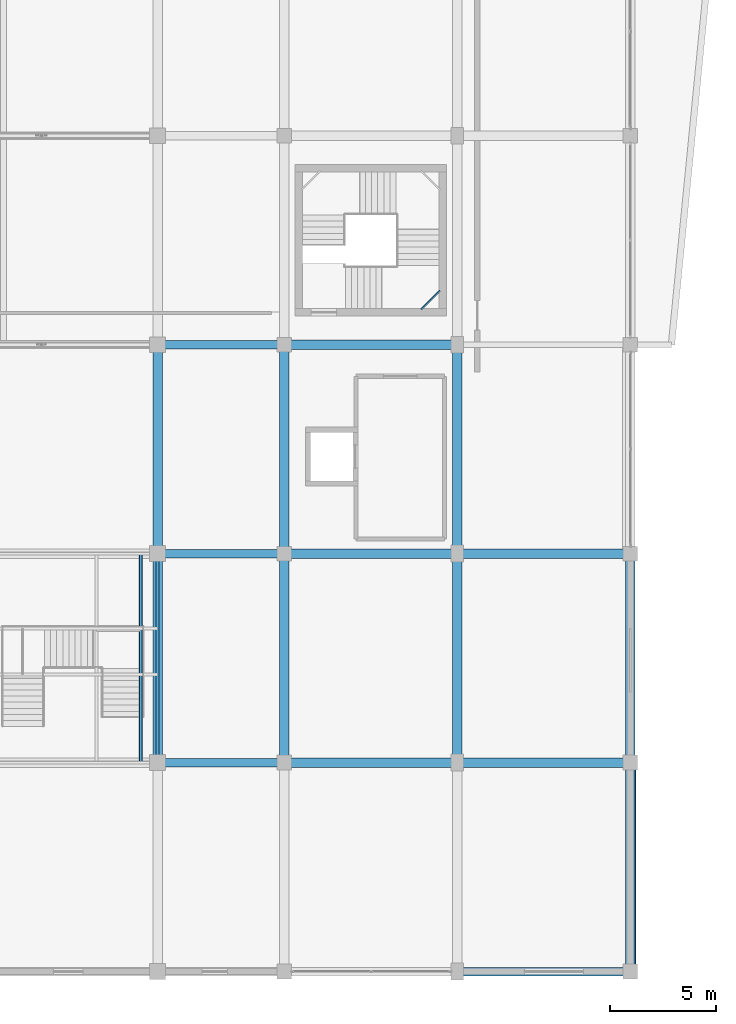
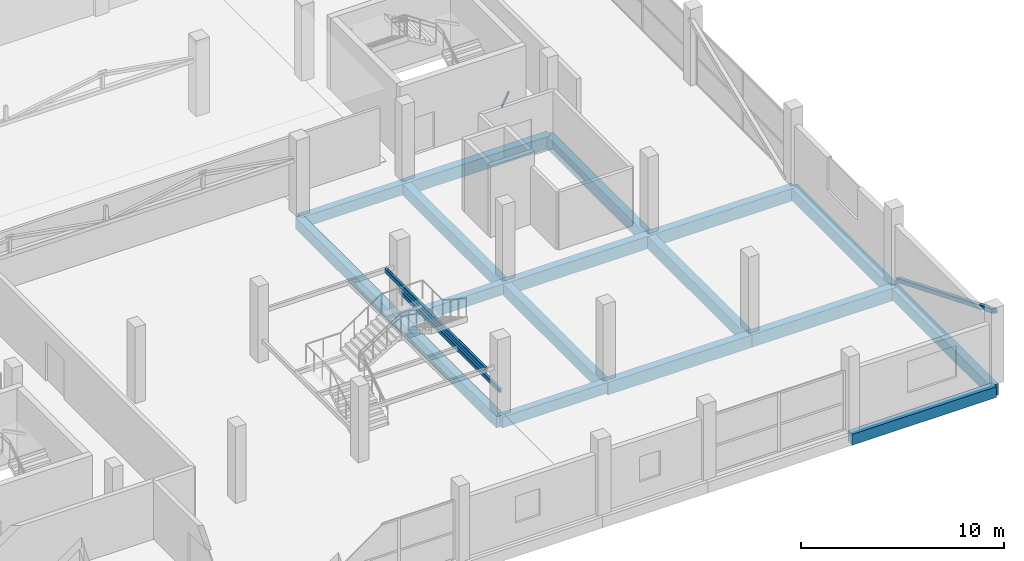
# One storey, part 12 of 58: 20 beams, 1 member.
"""IFC4 building model written with IfcOpenShell, lengths in metres."""

from ifc_helpers import new_model, si_unit, direction, frame, origin, origin_2d, place, context, subcontext, project, spatial, rectangle, hollow_rectangle, extrude, material, material_profile, profile_set, type_object, element, save


model = new_model("IFC4")

# Units and contexts
model_context = context("Model", 3, precision=1e-05, world=origin(), true_north=direction((0.0, 1.0)))
body_context = subcontext(model_context, "Body", "Model", "MODEL_VIEW")
ifc_project = project(units=[si_unit("LENGTHUNIT", "METRE"), si_unit("AREAUNIT", "SQUARE_METRE"), si_unit("VOLUMEUNIT", "CUBIC_METRE"), si_unit("PLANEANGLEUNIT", "RADIAN"), si_unit("MASSUNIT", "GRAM", prefix="KILO")], contexts=[model_context])

# Site, building, storey
site_placement = place(None, origin())
site = spatial("IfcSite", under=ifc_project, at=site_placement, CompositionType="ELEMENT")
building_placement = place(site_placement, origin())
building = spatial("IfcBuilding", under=site, at=building_placement, Name="Sillaruma Civic Art Gallery", CompositionType="ELEMENT")
storey_placement = place(building_placement, frame((0.0, 0.0, 28.56005859375)))
storey = spatial("IfcBuildingStorey", under=building, at=storey_placement, Name="L05", CompositionType="ELEMENT", Elevation=28.56005859375)

# Beams
ifc_material_1 = material(Name="Concrete H35 (35 MPa)", Category="concrete")
ifc_material_profile_1 = material_profile(ifc_material_1, rectangle(XDim=0.39990234375, YDim=0.64990234375, at=origin_2d()), Name="RCB400x650")
ifc_profile_set_1 = profile_set([ifc_material_profile_1], Name="Concrete H35 (35 MPa)")
beam_type_1 = type_object("IfcBeamType", Name="BM-BEAM-RCB400x650", PredefinedType="BEAM", material=ifc_profile_set_1)
for number, where, z_axis, x_axis, name in (
    (1, (92.0, 29.699951171875, -0.60498046875), (1.0, 0.0, 0.0), (0.0, 1.0, 0.0), "Beam BM-05 (L04:4:K-L)"),
    (2, (92.0, 39.60009765625, -0.60498046875), (1.0, 0.0, 0.0), (0.0, 1.0, 0.0), "Beam BM-05 (L04:5:K-L)"),
    (3, (92.0, 49.5, -0.60498046875), (1.0, 0.0, 0.0), (0.0, 1.0, 0.0), "Beam BM-05 (L04:6:K-L)"),
):
    element("IfcBeam", number, at=place(storey_placement, frame(where, z_axis=z_axis, x_axis=x_axis)), inside=storey, type_object=beam_type_1, Name=name, PredefinedType="BEAM", context=body_context, shape_type="SweptSolid", body=[
        extrude(rectangle(XDim=0.39990234375, YDim=0.64990234375, at=origin_2d()), origin(), (0.0, 0.0, 1.0), 6.0),
    ])
ifc_material_2 = material(Name="Concrete H40 (40 MPa)", Category="concrete")
ifc_material_profile_2 = material_profile(ifc_material_2, rectangle(XDim=0.449951171875, YDim=0.75, at=origin_2d()), Name="RCB450x750")
ifc_profile_set_2 = profile_set([ifc_material_profile_2], Name="Concrete H40 (40 MPa)")
beam_type_2 = type_object("IfcBeamType", Name="BM-BEAM-RCB450x750", PredefinedType="BEAM", material=ifc_profile_set_2)
for number, where, z_axis, x_axis, name in (
    (4, (98.0, 29.699951171875, -0.655029296875), (1.0, 0.0, 0.0), (0.0, 1.0, 0.0), "Beam BM-03 (L04:4:L-M)"),
    (5, (106.199951171875, 29.699951171875, -0.655029296875), (1.0, 0.0, 0.0), (0.0, 1.0, 0.0), "Beam BM-03 (L04:4:M-N)"),
    (6, (98.0, 39.60009765625, -0.655029296875), (1.0, 0.0, 0.0), (0.0, 1.0, 0.0), "Beam BM-03 (L04:5:L-M)"),
    (7, (106.199951171875, 39.60009765625, -0.655029296875), (1.0, 0.0, 0.0), (0.0, 1.0, 0.0), "Beam BM-03 (L04:5:M-N)"),
    (8, (98.0, 49.5, -0.655029296875), (1.0, 0.0, 0.0), (0.0, 1.0, 0.0), "Beam BM-03 (L04:6:L-M)"),
):
    element("IfcBeam", number, at=place(storey_placement, frame(where, z_axis=z_axis, x_axis=x_axis)), inside=storey, type_object=beam_type_2, Name=name, PredefinedType="BEAM", context=body_context, shape_type="SweptSolid", body=[
        extrude(rectangle(XDim=0.449951171875, YDim=0.75, at=origin_2d()), origin(), (0.0, 0.0, 1.0), 8.199951171875),
    ])
beam_1_placement = place(storey_placement, frame((106.199951171875, 29.699951171875, -0.655029296875), z_axis=(0.0, 1.0, 0.0), x_axis=(-1.0, 0.0, 0.0)))
element("IfcBeam", 9, at=beam_1_placement, inside=storey, type_object=beam_type_2, Name="Beam BM-03 (L04:M:4-5)", PredefinedType="BEAM", context=body_context, shape_type="SweptSolid", body=[
    extrude(rectangle(XDim=0.449951171875, YDim=0.75, at=origin_2d()), origin(), (0.0, 0.0, 1.0), 9.900146484375),
])
beam_2_placement = place(storey_placement, frame((106.199951171875, 39.60009765625, -0.655029296875), z_axis=(0.0, 1.0, 0.0), x_axis=(-1.0, 0.0, 0.0)))
element("IfcBeam", 10, at=beam_2_placement, inside=storey, type_object=beam_type_2, Name="Beam BM-03 (L04:M:5-6)", PredefinedType="BEAM", context=body_context, shape_type="SweptSolid", body=[
    extrude(rectangle(XDim=0.449951171875, YDim=0.75, at=origin_2d()), origin(), (0.0, 0.0, 1.0), 9.89990234375),
])
ifc_material_3 = material(Name="Structural Steel ASTM A500 Gr.C", Category="steel")
ifc_material_profile_3 = material_profile(ifc_material_3, hollow_rectangle(XDim=0.080078125, YDim=0.159912109375, WallThickness=0.008056640625, InnerFilletRadius=0.008056640625, OuterFilletRadius=0.01611328125, at=origin_2d()), Name="HSS160x80x8")
ifc_profile_set_3 = profile_set([ifc_material_profile_3], Name="Structural Steel ASTM A500 Gr.C")
beam_type_3 = type_object("IfcBeamType", Name="BM-LND-HSS160", PredefinedType="BEAM", material=ifc_profile_set_3)
beam_3_placement = place(storey_placement, frame((104.489990234375, 51.169921875, 0.909912109375), z_axis=(0.707009791025, 0.707203758046, 0.0), x_axis=(-0.707203758046, 0.707009791025, 0.0)))
element("IfcBeam", 11, at=beam_3_placement, inside=storey, type_object=beam_type_3, Name="Stair Corner Landing Trimmer Beam (ST-04-L05-1)", PredefinedType="BEAM", context=body_context, shape_type="SweptSolid", body=[
    extrude(hollow_rectangle(XDim=0.080078125, YDim=0.159912109375, WallThickness=0.008056640625, InnerFilletRadius=0.008056640625, OuterFilletRadius=0.01611328125, at=origin_2d()), origin(), (0.0, 0.0, 1.0), 1.2587890625),
])
ifc_material_profile_4 = material_profile(ifc_material_3, hollow_rectangle(XDim=0.14990234375, YDim=0.25, WallThickness=0.010009765625, InnerFilletRadius=0.010009765625, OuterFilletRadius=0.02001953125, at=origin_2d()), Name="HSS250x150x10")
ifc_profile_set_4 = profile_set([ifc_material_profile_4], Name="Structural Steel ASTM A500 Gr.C")
beam_type_4 = type_object("IfcBeamType", Name="BM-LND-HSS200", PredefinedType="BEAM", material=ifc_profile_set_4)
for number, where, z_axis, x_axis, name in (
    (12, (92.0, 29.699951171875, 1.219970703125), (0.0, 1.0, 0.0), (-1.0, 0.0, 0.0), "Feature Stair L1 Rail (ST-G02-E)"),
    (13, (91.199951171875, 29.699951171875, 2.75), (0.0, 1.0, 0.0), (-1.0, 0.0, 0.0), "Feature Stair L2 Girder (ST-G02-2)"),
):
    element("IfcBeam", number, at=place(storey_placement, frame(where, z_axis=z_axis, x_axis=x_axis)), inside=storey, type_object=beam_type_4, Name=name, PredefinedType="BEAM", context=body_context, shape_type="SweptSolid", body=[
        extrude(hollow_rectangle(XDim=0.14990234375, YDim=0.25, WallThickness=0.010009765625, InnerFilletRadius=0.010009765625, OuterFilletRadius=0.02001953125, at=origin_2d()), origin(), (0.0, 0.0, 1.0), 9.900146484375),
    ])
ifc_material_profile_5 = material_profile(ifc_material_1, rectangle(XDim=0.39990234375, YDim=0.64990234375, at=origin_2d()), Name="RCB400x650")
ifc_profile_set_5 = profile_set([ifc_material_profile_5], Name="Concrete H35 (35 MPa)")
beam_type_5 = type_object("IfcBeamType", Name="BM-SPANDREL-RCB400x650", PredefinedType="SPANDREL", material=ifc_profile_set_5)
beam_4_placement = place(storey_placement, frame((106.199951171875, 19.800048828125, -0.60498046875), z_axis=(1.0, 0.0, 0.0), x_axis=(0.0, 1.0, 0.0)))
element("IfcBeam", 14, at=beam_4_placement, inside=storey, type_object=beam_type_5, Name="Beam BS-02 (L04:3:M-N)", PredefinedType="SPANDREL", context=body_context, shape_type="SweptSolid", body=[
    extrude(rectangle(XDim=0.39990234375, YDim=0.64990234375, at=origin_2d()), origin(), (0.0, 0.0, 1.0), 8.199951171875),
])
ifc_material_profile_6 = material_profile(ifc_material_1, rectangle(XDim=0.449951171875, YDim=0.699951171875, at=origin_2d()), Name="RCB450x700")
ifc_profile_set_6 = profile_set([ifc_material_profile_6], Name="Concrete H35 (35 MPa)")
beam_type_6 = type_object("IfcBeamType", Name="BM-SPANDREL-RCB450x700", PredefinedType="SPANDREL", material=ifc_profile_set_6)
beam_5_placement = place(storey_placement, frame((92.0, 29.699951171875, -0.630126953125), z_axis=(0.0, 1.0, 0.0), x_axis=(-1.0, 0.0, 0.0)))
element("IfcBeam", 15, at=beam_5_placement, inside=storey, type_object=beam_type_6, Name="Beam BS-03 (L04:K:4-5)", PredefinedType="SPANDREL", context=body_context, shape_type="SweptSolid", body=[
    extrude(rectangle(XDim=0.449951171875, YDim=0.699951171875, at=origin_2d()), origin(), (0.0, 0.0, 1.0), 9.900146484375),
])
beam_6_placement = place(storey_placement, frame((92.0, 39.60009765625, -0.630126953125), z_axis=(0.0, 1.0, 0.0), x_axis=(-1.0, 0.0, 0.0)))
element("IfcBeam", 16, at=beam_6_placement, inside=storey, type_object=beam_type_6, Name="Beam BS-03 (L04:K:5-6)", PredefinedType="SPANDREL", context=body_context, shape_type="SweptSolid", body=[
    extrude(rectangle(XDim=0.449951171875, YDim=0.699951171875, at=origin_2d()), origin(), (0.0, 0.0, 1.0), 9.89990234375),
])
beam_7_placement = place(storey_placement, frame((98.0, 29.699951171875, -0.630126953125), z_axis=(0.0, 1.0, 0.0), x_axis=(-1.0, 0.0, 0.0)))
element("IfcBeam", 17, at=beam_7_placement, inside=storey, type_object=beam_type_6, Name="Beam BS-03 (L04:L:4-5)", PredefinedType="SPANDREL", context=body_context, shape_type="SweptSolid", body=[
    extrude(rectangle(XDim=0.449951171875, YDim=0.699951171875, at=origin_2d()), origin(), (0.0, 0.0, 1.0), 9.900146484375),
])
for number, where, z_axis, x_axis, name in (
    (18, (98.0, 39.60009765625, -0.630126953125), (0.0, 1.0, 0.0), (-1.0, 0.0, 0.0), "Beam BS-03 (L04:L:5-6)"),
    (19, (114.39990234375, 19.800048828125, -0.630126953125), (0.0, 1.0, 0.0), (-1.0, 0.0, 0.0), "Beam BS-03 (L04:N:3-4)"),
):
    element("IfcBeam", number, at=place(storey_placement, frame(where, z_axis=z_axis, x_axis=x_axis)), inside=storey, type_object=beam_type_6, Name=name, PredefinedType="SPANDREL", context=body_context, shape_type="SweptSolid", body=[
        extrude(rectangle(XDim=0.449951171875, YDim=0.699951171875, at=origin_2d()), origin(), (0.0, 0.0, 1.0), 9.89990234375),
    ])
beam_8_placement = place(storey_placement, frame((114.39990234375, 29.699951171875, -0.630126953125), z_axis=(0.0, 1.0, 0.0), x_axis=(-1.0, 0.0, 0.0)))
element("IfcBeam", 20, at=beam_8_placement, inside=storey, type_object=beam_type_6, Name="Beam BS-03 (L04:N:4-5)", PredefinedType="SPANDREL", context=body_context, shape_type="SweptSolid", body=[
    extrude(rectangle(XDim=0.449951171875, YDim=0.699951171875, at=origin_2d()), origin(), (0.0, 0.0, 1.0), 9.900146484375),
])

# Member
ifc_material_profile_7 = material_profile(ifc_material_3, hollow_rectangle(XDim=0.25, YDim=0.25, WallThickness=0.012451171875, InnerFilletRadius=0.012451171875, OuterFilletRadius=0.02490234375, at=origin_2d()), Name="HSS250x250x12.5")
ifc_profile_set_7 = profile_set([ifc_material_profile_7], Name="Structural Steel ASTM A500 Gr.C")
member_type = type_object("IfcMemberType", Name="MEM-MEGA-BRACE", PredefinedType="BRACE", material=ifc_profile_set_7)
member_placement = place(storey_placement, frame((114.550048828125, 29.52001953125, 0.099853515625), z_axis=(0.0, -0.925635226768, 0.378417001423), x_axis=(1.0, 0.0, 0.0)))
element("IfcMember", 21, at=member_placement, inside=storey, type_object=member_type, Name="Exterior Expressed Gallery Seismic Diagonal Brace (L05-ES)", PredefinedType="BRACE", context=body_context, shape_type="SweptSolid", body=[
    extrude(hollow_rectangle(XDim=0.25, YDim=0.25, WallThickness=0.012451171875, InnerFilletRadius=0.012451171875, OuterFilletRadius=0.02490234375, at=origin_2d()), origin(), (0.0, 0.0, 1.0), 10.306396484375),
])

save(model, "model.ifc")
